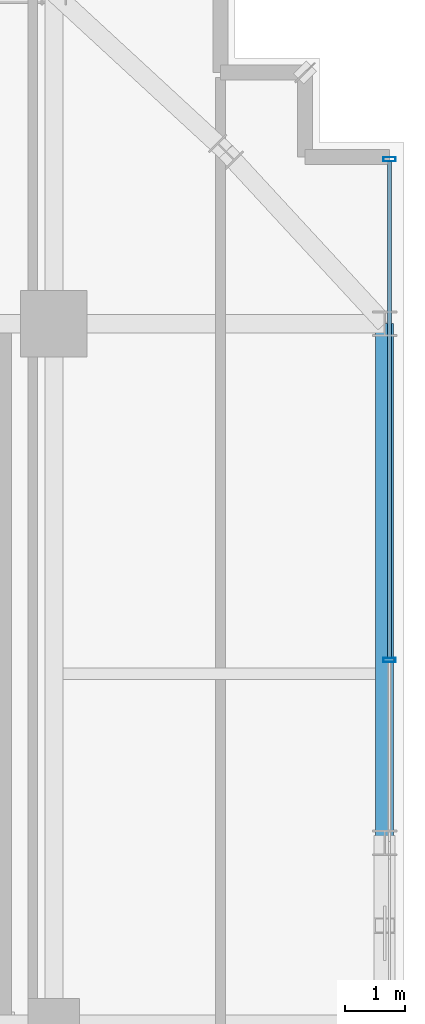
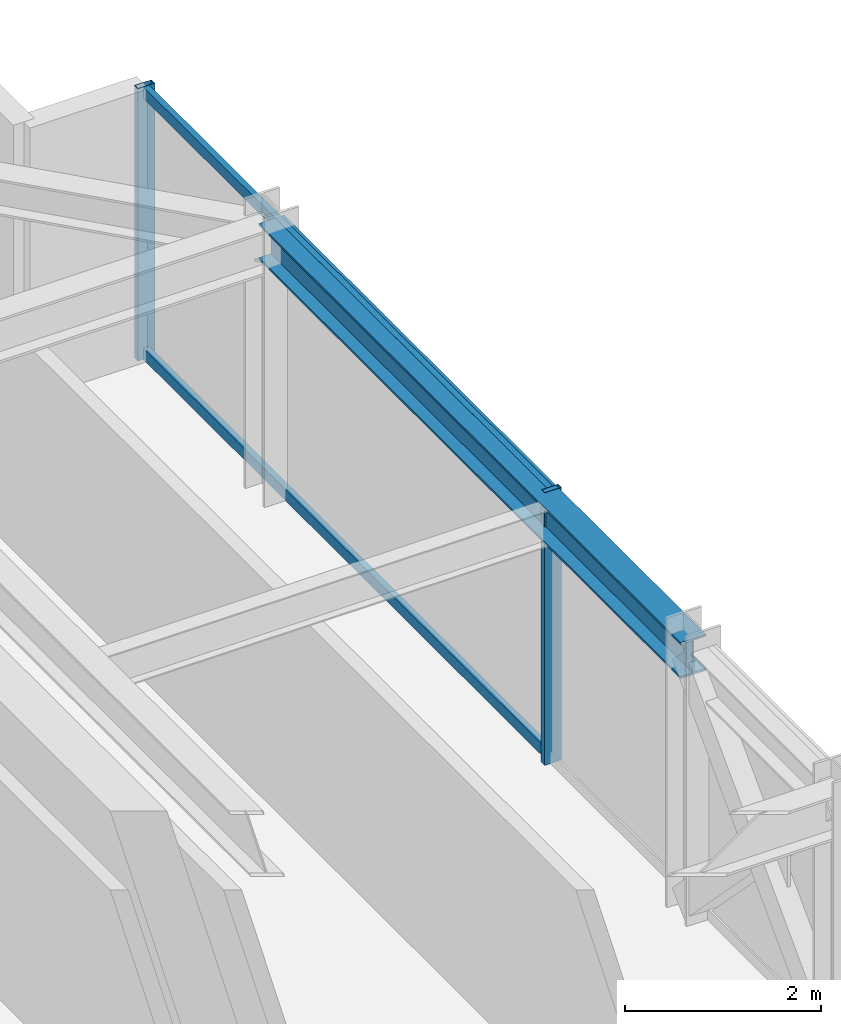
# One storey, part 29 of 43: 4 members, 1 beam, 1 element without a shape of its own.
"""IFC4 building model written with IfcOpenShell, lengths in metres."""

import ifcopenshell
import ifcopenshell.guid

model = None  # the IFC model being written
_history = None  # IfcOwnerHistory: only IFC2X3 demands one
_inside = {}  # id of a spatial element -> (the spatial element, [elements in it])
_under = {}  # id of a project, library or spatial element -> (it, [spatial elements below it])
_declared = {}  # id of a project -> (the project, [libraries it declares])
_typed = {}  # id of a type object -> (the type object, [elements of that type])
_made_of = {}  # id of a material, layer set ... -> (it, [elements and type objects made of it])


def new_model(schema):
    """Start an empty IFC model of exactly this schema.

    Asked for "IFC4X3", IfcOpenShell would pick the latest addendum, in which some entities
    have other attributes; the version numbers below select the first issue.
    IFC2X3 requires an IfcOwnerHistory on every rooted entity: one is made here for all.
    """
    global model, _history
    if schema == "IFC4X3":
        model = ifcopenshell.file(schema_version=(4, 3, 0, 0))
    else:
        model = ifcopenshell.file(schema=schema)
    _inside.clear()
    _under.clear()
    _declared.clear()
    _typed.clear()
    _made_of.clear()
    _history = None
    if model.schema == "IFC2X3":
        org = make("IfcOrganization", Name="unknown")
        user = make(
            "IfcPersonAndOrganization",
            ThePerson=make("IfcPerson", FamilyName="unknown"),
            TheOrganization=org,
        )
        app = make(
            "IfcApplication",
            ApplicationDeveloper=org,
            Version="unknown",
            ApplicationFullName="unknown",
            ApplicationIdentifier="unknown",
        )
        _history = make(
            "IfcOwnerHistory",
            OwningUser=user,
            OwningApplication=app,
            ChangeAction="ADDED",
            CreationDate=0,
        )
    return model


def make(cls, **values):
    """One entity of the class cls with the attributes given. An attribute that is None is left unset."""
    return model.create_entity(
        cls, **{name: value for name, value in values.items() if value is not None}
    )


def rooted(cls, **values):
    """An entity with a GlobalId (a new one), such as an element, a storey or a relation."""
    return make(cls, GlobalId=ifcopenshell.guid.new(), OwnerHistory=_history, **values)


def si_unit(unit_type, name, prefix=None):
    """IfcSIUnit, for example si_unit("LENGTHUNIT", "METRE", prefix="MILLI")."""
    return make("IfcSIUnit", UnitType=unit_type, Prefix=prefix, Name=name)


def assignment(units):
    """IfcUnitAssignment: the units of a project."""
    return None if units is None else make("IfcUnitAssignment", Units=units)


def point(xyz):
    """IfcCartesianPoint."""
    return None if xyz is None else make("IfcCartesianPoint", Coordinates=xyz)


def direction(xyz):
    """IfcDirection."""
    return None if xyz is None else make("IfcDirection", DirectionRatios=xyz)


def frame(location, z_axis=None, x_axis=None):
    """IfcAxis2Placement3D, a coordinate frame: its origin and axes. An axis left out is left unset."""
    return make(
        "IfcAxis2Placement3D",
        Location=point(location),
        Axis=direction(z_axis),
        RefDirection=direction(x_axis),
    )


def frame_2d(location, x_axis=None):
    """IfcAxis2Placement2D, a coordinate frame in the plane: its origin and x axis."""
    return make(
        "IfcAxis2Placement2D", Location=point(location), RefDirection=direction(x_axis)
    )


def origin():
    """The frame at (0, 0, 0) with its axes left unset."""
    return frame((0.0, 0.0, 0.0))


def origin_2d():
    """The frame at (0, 0) in the plane with its x axis left unset."""
    return frame_2d((0.0, 0.0))


def place(relative_to, where):
    """IfcLocalPlacement: puts the frame where relative to a parent placement (None: the world)."""
    return make(
        "IfcLocalPlacement", PlacementRelTo=relative_to, RelativePlacement=where
    )


def context(
    kind, dimensions, precision=None, world=None, true_north=None, identifier=None
):
    """IfcGeometricRepresentationContext, for example the 3D "Model" context."""
    return make(
        "IfcGeometricRepresentationContext",
        ContextIdentifier=identifier,
        ContextType=kind,
        CoordinateSpaceDimension=dimensions,
        Precision=precision,
        WorldCoordinateSystem=world,
        TrueNorth=true_north,
    )


def subcontext(parent, identifier, kind, view, scale=None):
    """IfcGeometricRepresentationSubContext, for example "Body" below "Model"."""
    return make(
        "IfcGeometricRepresentationSubContext",
        ContextIdentifier=identifier,
        ContextType=kind,
        ParentContext=parent,
        TargetScale=scale,
        TargetView=view,
    )


def project(units=None, contexts=None):
    """IfcProject with its units and contexts."""
    return rooted(
        "IfcProject",
        Name="project",
        RepresentationContexts=contexts,
        UnitsInContext=assignment(units),
    )


def spatial(cls, under=None, at=None, **own):
    """A site, building, storey or space (cls), placed at a placement, below another one or the project."""
    s = rooted(cls, ObjectPlacement=at, **own)
    if under is not None:
        _under.setdefault(under.id(), (under, []))[1].append(s)
    return s


def profile(cls, at=None, kind="AREA", **sizes):
    """A parametric profile (cls). Its sizes go by their IFC names, for example OverallWidth=200.0."""
    return make(cls, ProfileType=kind, Position=at, **sizes)


def hollow_rectangle(**sizes):
    """IfcRectangleHollowProfileDef."""
    return profile("IfcRectangleHollowProfileDef", **sizes)


def i_section(**sizes):
    """IfcIShapeProfileDef."""
    return profile("IfcIShapeProfileDef", **sizes)


def extrude(swept, where, along, depth):
    """IfcExtrudedAreaSolid: the profile swept, set in the frame where, extruded along a direction by depth."""
    return make(
        "IfcExtrudedAreaSolid",
        SweptArea=swept,
        Position=where,
        ExtrudedDirection=direction(along),
        Depth=depth,
    )


def shape(context_of_items, identifier, shape_type, items):
    """IfcShapeRepresentation: the items that make up one representation, for example the "Body"."""
    return make(
        "IfcShapeRepresentation",
        ContextOfItems=context_of_items,
        RepresentationIdentifier=identifier,
        RepresentationType=shape_type,
        Items=items,
    )


def source(mapping_origin, context_of_items, identifier, shape_type, items):
    """IfcRepresentationMap: a shape defined once, which mapped items show again and again."""
    return make(
        "IfcRepresentationMap",
        MappingOrigin=mapping_origin,
        MappedRepresentation=shape(context_of_items, identifier, shape_type, items),
    )


def transform(
    local_origin,
    x_axis=None,
    y_axis=None,
    z_axis=None,
    scale=None,
    scale2=None,
    scale3=None,
    uniform=True,
):
    """IfcCartesianTransformationOperator3D, or its non-uniform kind. x_axis, y_axis, z_axis: its Axis1, 2, 3."""
    if uniform:
        return make(
            "IfcCartesianTransformationOperator3D",
            Axis1=direction(x_axis),
            Axis2=direction(y_axis),
            LocalOrigin=point(local_origin),
            Scale=scale,
            Axis3=direction(z_axis),
        )
    return make(
        "IfcCartesianTransformationOperator3DnonUniform",
        Axis1=direction(x_axis),
        Axis2=direction(y_axis),
        LocalOrigin=point(local_origin),
        Scale=scale,
        Axis3=direction(z_axis),
        Scale2=scale2,
        Scale3=scale3,
    )


def mapped(mapping_source, mapping_target):
    """IfcMappedItem: shows the shape of a source again, moved by a transform."""
    return make(
        "IfcMappedItem", MappingSource=mapping_source, MappingTarget=mapping_target
    )


def material(Name=None, Category=None):
    """IfcMaterial."""
    return make("IfcMaterial", Name=Name, Category=Category)


def material_profile(
    of_material, cross_section, Name=None, Category=None, Priority=None
):
    """IfcMaterialProfile: a cross section and its material."""
    return make(
        "IfcMaterialProfile",
        Name=Name,
        Material=of_material,
        Profile=cross_section,
        Priority=Priority,
        Category=Category,
    )


def profile_set(profiles, Name=None, composite=None):
    """IfcMaterialProfileSet."""
    return make(
        "IfcMaterialProfileSet",
        Name=Name,
        MaterialProfiles=profiles,
        CompositeProfile=composite,
    )


def made_of(thing, what):
    """Note that an element or type object is made of a material, layer set ...; save() writes the relation."""
    if what is not None:
        _made_of.setdefault(what.id(), (what, []))[1].append(thing)
    return thing


def type_object(cls, material=None, **own):
    """A type object (cls), such as IfcWallType, which elements share."""
    return made_of(rooted(cls, **own), material)


def element(
    cls,
    number,
    at=None,
    inside=None,
    cuts=None,
    type_object=None,
    material=None,
    context=None,
    identifier="Body",
    shape_type=None,
    held_by="IfcProductDefinitionShape",
    body=None,
    shapes=None,
    **own,
):
    """One element of the class cls, such as IfcWall. Its Tag is "e" and its number.

    at: its placement. inside: the storey or other place that contains it. cuts: it is an
    opening in that element (IfcRelVoidsElement). A single representation is given by context,
    identifier, shape_type and body (its items); several are given by shapes. held_by: the class
    of the entity that holds the representations. save() writes the other relations.
    """
    e = rooted(cls, Tag="e%d" % number, ObjectPlacement=at, **own)
    if body is not None:
        shapes = [shape(context, identifier, shape_type, body)]
    if shapes is not None:
        e.Representation = make(held_by, Representations=shapes)
    if inside is not None:
        _inside.setdefault(inside.id(), (inside, []))[1].append(e)
    if cuts is not None:
        rooted(
            "IfcRelVoidsElement", RelatingBuildingElement=cuts, RelatedOpeningElement=e
        )
    if type_object is not None:
        _typed.setdefault(type_object.id(), (type_object, []))[1].append(e)
    return made_of(e, material)


def aggregate(whole, parts):
    """IfcRelAggregates: a whole, such as a stair, and the parts it consists of."""
    return rooted("IfcRelAggregates", RelatingObject=whole, RelatedObjects=parts)


def save(model, path):
    """Write the relations noted so far, then the file.

    IfcRelAggregates (storeys below a building ...), IfcRelContainedInSpatialStructure (elements
    in a storey), IfcRelDefinesByType, IfcRelAssociatesMaterial and IfcRelDeclares: one each for
    every whole, place, type object, material and project.
    """
    for whole, parts in _under.values():
        aggregate(whole, parts)
    for where, things in _inside.values():
        rooted(
            "IfcRelContainedInSpatialStructure",
            RelatedElements=things,
            RelatingStructure=where,
        )
    for kind, things in _typed.values():
        rooted("IfcRelDefinesByType", RelatedObjects=things, RelatingType=kind)
    for what, things in _made_of.values():
        rooted("IfcRelAssociatesMaterial", RelatedObjects=things, RelatingMaterial=what)
    for by, libraries in _declared.values():
        rooted("IfcRelDeclares", RelatingContext=by, RelatedDefinitions=libraries)
    model.write(path)


model = new_model("IFC4")

# Units and contexts
model_context = context("Model", 3, precision=1e-05, world=origin(), true_north=direction((0.0, 1.0)))
body_context = subcontext(model_context, "Body", "Model", "MODEL_VIEW")
ifc_project = project(units=[si_unit("LENGTHUNIT", "METRE"), si_unit("AREAUNIT", "SQUARE_METRE"), si_unit("VOLUMEUNIT", "CUBIC_METRE"), si_unit("PLANEANGLEUNIT", "RADIAN"), si_unit("MASSUNIT", "GRAM", prefix="KILO")], contexts=[model_context])

# Site, building, storey
site_placement = place(None, origin())
site = spatial("IfcSite", under=ifc_project, at=site_placement, CompositionType="ELEMENT")
building_placement = place(site_placement, origin())
building = spatial("IfcBuilding", under=site, at=building_placement, Name="Nahalor Promenade Grand Hotel", CompositionType="ELEMENT")
storey_placement = place(building_placement, frame((0.0, 0.0, 181.85009765625)))
storey = spatial("IfcBuildingStorey", under=building, at=storey_placement, Name="L46", CompositionType="ELEMENT", Elevation=181.85009765625)

# Beam
ifc_material_1 = material(Name="Steel S355JR", Category="steel")
ifc_material_profile_1 = material_profile(ifc_material_1, i_section(OverallWidth=0.3, OverallDepth=0.45, WebThickness=0.014, FlangeThickness=0.026, at=origin_2d()), Name="HEB 450")
ifc_profile_set_1 = profile_set([ifc_material_profile_1], Name="Steel S355JR")
beam_type = type_object("IfcBeamType", Name="Beam-Spandrel-HEB450", PredefinedType="SPANDREL", material=ifc_profile_set_1)
shared_shape_1 = source(origin(), body_context, "Body", "SweptSolid", [
    extrude(i_section(OverallWidth=0.3, OverallDepth=0.45, WebThickness=0.014, FlangeThickness=0.026, at=origin_2d()), origin(), (0.0, 0.0, 1.0), 8.60009765625),
])
beam_placement = place(storey_placement, frame((22.47998046875, 8.39990234375, 3.164794921875), z_axis=(0.0, 1.0, 0.0), x_axis=(-1.0, 0.0, 0.0)))
element("IfcBeam", 1, at=beam_placement, inside=storey, type_object=beam_type, Name="BM-L46-SP-E-4", PredefinedType="SPANDREL", context=body_context, shape_type="MappedRepresentation", body=[
    mapped(shared_shape_1, transform((0.0, 0.0, 0.0), scale=1.0)),
])

# Curtain wall, members
ifc_material_2 = material(Name="Anodised Bronze Aluminium EN AW-6063 T6", Category="aluminium")
curtain_wall_type = type_object("IfcCurtainWallType", Name="CW3 Elliptical-Void Collar Unitised Curtain Wall", PredefinedType="USERDEFINED", material=ifc_material_2)
curtain_wall_placement = place(storey_placement, origin())
curtain_wall = element("IfcCurtainWall", 2, at=curtain_wall_placement, inside=storey, type_object=curtain_wall_type, Name="L46 Curtain Wall CW-L46-E-2", ObjectType="UNITISED_CURTAIN_WALL", PredefinedType="USERDEFINED")
ifc_material_profile_2 = material_profile(ifc_material_2, hollow_rectangle(XDim=0.07, YDim=0.2, WallThickness=0.005, at=origin_2d()), Name="CWM 70x200x5")
ifc_profile_set_2 = profile_set([ifc_material_profile_2], Name="Anodised Bronze Aluminium EN AW-6063 T6")
member_type_1 = type_object("IfcMemberType", Name="CWM3 Void Collar Mullion 70x200", PredefinedType="MULLION", material=ifc_profile_set_2)
shared_shape_2 = source(origin(), body_context, "Body", "SweptSolid", [
    extrude(hollow_rectangle(XDim=0.07, YDim=0.2, WallThickness=0.005, at=origin_2d()), origin(), (0.0, 0.0, 1.0), 3.389892578125),
])
member_1_placement = place(storey_placement, frame((22.56005859375, 11.429931640625, 0.0), z_axis=(0.0, 0.0, 1.0), x_axis=(0.0, 1.0, 0.0)))
member_1 = element("IfcMember", 3, at=member_1_placement, type_object=member_type_1, Name="CW-L46-E-2 Mullion 1", PredefinedType="MULLION", context=body_context, shape_type="MappedRepresentation", body=[
    mapped(shared_shape_2, transform((0.0, 0.0, 0.0), scale=1.0)),
])
member_2_placement = place(storey_placement, frame((22.56005859375, 19.72509765625, 0.0), z_axis=(0.0, 0.0, 1.0), x_axis=(0.0, 1.0, 0.0)))
member_2 = element("IfcMember", 4, at=member_2_placement, type_object=member_type_1, Name="CW-L46-E-2 Mullion 2", PredefinedType="MULLION", context=body_context, shape_type="MappedRepresentation", body=[
    mapped(shared_shape_2, transform((0.0, 0.0, 0.0), scale=1.0)),
])
ifc_material_profile_3 = material_profile(ifc_material_2, hollow_rectangle(XDim=0.07, YDim=0.14, WallThickness=0.004, at=origin_2d()), Name="CWT 70x140x4")
ifc_profile_set_3 = profile_set([ifc_material_profile_3], Name="Anodised Bronze Aluminium EN AW-6063 T6")
member_type_2 = type_object("IfcMemberType", Name="CWT3 Void Collar Transom 70x140", PredefinedType="USERDEFINED", material=ifc_profile_set_3)
shared_shape_3 = source(origin(), body_context, "Body", "SweptSolid", [
    extrude(hollow_rectangle(XDim=0.07, YDim=0.14, WallThickness=0.004, at=origin_2d()), origin(), (0.0, 0.0, 1.0), 8.224853515625),
])
member_3_placement = place(storey_placement, frame((22.56005859375, 11.465087890625, 0.06982421875), z_axis=(0.0, 1.0, 0.0), x_axis=(-1.0, 0.0, 0.0)))
member_3 = element("IfcMember", 5, at=member_3_placement, type_object=member_type_2, Name="CW-L46-E-2 Transom 1-0", ObjectType="TRANSOM", PredefinedType="USERDEFINED", context=body_context, shape_type="MappedRepresentation", body=[
    mapped(shared_shape_3, transform((0.0, 0.0, 0.0), scale=1.0)),
])
member_4_placement = place(storey_placement, frame((22.56005859375, 11.465087890625, 3.31982421875), z_axis=(0.0, 1.0, 0.0), x_axis=(-1.0, 0.0, 0.0)))
member_4 = element("IfcMember", 6, at=member_4_placement, type_object=member_type_2, Name="CW-L46-E-2 Transom 1-1", ObjectType="TRANSOM", PredefinedType="USERDEFINED", context=body_context, shape_type="MappedRepresentation", body=[
    mapped(shared_shape_3, transform((0.0, 0.0, 0.0), scale=1.0)),
])
aggregate(curtain_wall, [member_1, member_2, member_3, member_4])

save(model, "model.ifc")
